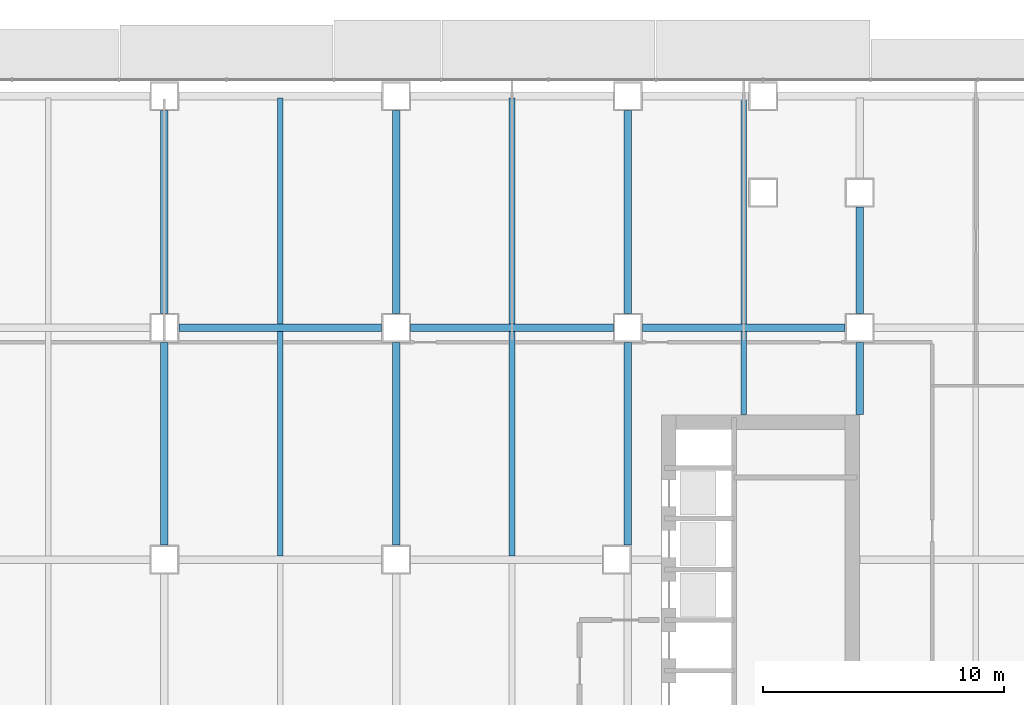
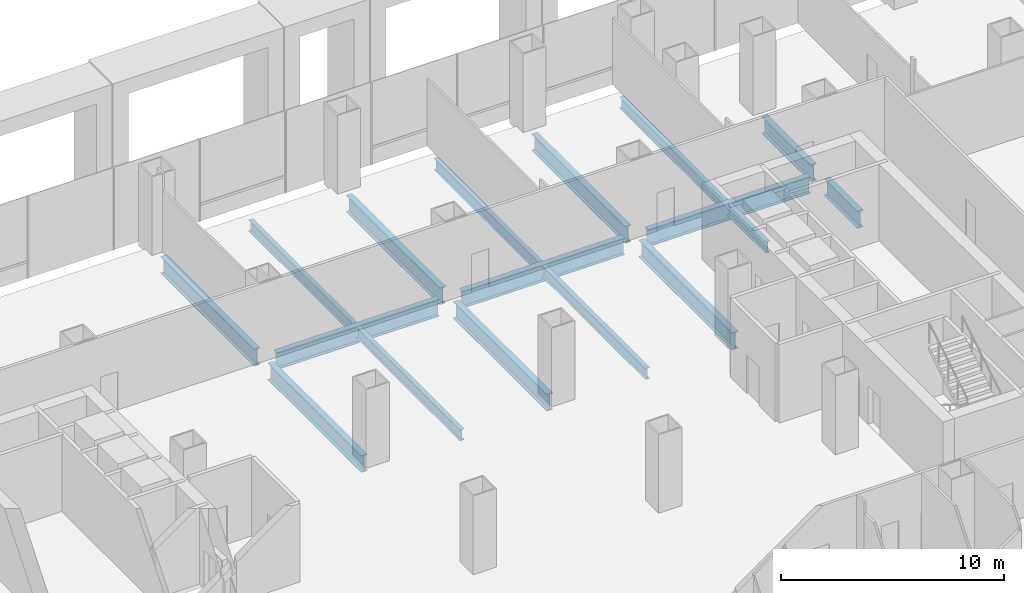
# One storey, part 8 of 23: 17 beams.
"""IFC4 building model written with IfcOpenShell, lengths in metres."""

import ifcopenshell
import ifcopenshell.guid

model = None  # the IFC model being written
_history = None  # IfcOwnerHistory: only IFC2X3 demands one
_inside = {}  # id of a spatial element -> (the spatial element, [elements in it])
_under = {}  # id of a project, library or spatial element -> (it, [spatial elements below it])
_declared = {}  # id of a project -> (the project, [libraries it declares])
_typed = {}  # id of a type object -> (the type object, [elements of that type])
_made_of = {}  # id of a material, layer set ... -> (it, [elements and type objects made of it])


def new_model(schema):
    """Start an empty IFC model of exactly this schema.

    Asked for "IFC4X3", IfcOpenShell would pick the latest addendum, in which some entities
    have other attributes; the version numbers below select the first issue.
    IFC2X3 requires an IfcOwnerHistory on every rooted entity: one is made here for all.
    """
    global model, _history
    if schema == "IFC4X3":
        model = ifcopenshell.file(schema_version=(4, 3, 0, 0))
    else:
        model = ifcopenshell.file(schema=schema)
    _inside.clear()
    _under.clear()
    _declared.clear()
    _typed.clear()
    _made_of.clear()
    _history = None
    if model.schema == "IFC2X3":
        org = make("IfcOrganization", Name="unknown")
        user = make(
            "IfcPersonAndOrganization",
            ThePerson=make("IfcPerson", FamilyName="unknown"),
            TheOrganization=org,
        )
        app = make(
            "IfcApplication",
            ApplicationDeveloper=org,
            Version="unknown",
            ApplicationFullName="unknown",
            ApplicationIdentifier="unknown",
        )
        _history = make(
            "IfcOwnerHistory",
            OwningUser=user,
            OwningApplication=app,
            ChangeAction="ADDED",
            CreationDate=0,
        )
    return model


def make(cls, **values):
    """One entity of the class cls with the attributes given. An attribute that is None is left unset."""
    return model.create_entity(
        cls, **{name: value for name, value in values.items() if value is not None}
    )


def rooted(cls, **values):
    """An entity with a GlobalId (a new one), such as an element, a storey or a relation."""
    return make(cls, GlobalId=ifcopenshell.guid.new(), OwnerHistory=_history, **values)


def si_unit(unit_type, name, prefix=None):
    """IfcSIUnit, for example si_unit("LENGTHUNIT", "METRE", prefix="MILLI")."""
    return make("IfcSIUnit", UnitType=unit_type, Prefix=prefix, Name=name)


def assignment(units):
    """IfcUnitAssignment: the units of a project."""
    return None if units is None else make("IfcUnitAssignment", Units=units)


def point(xyz):
    """IfcCartesianPoint."""
    return None if xyz is None else make("IfcCartesianPoint", Coordinates=xyz)


def direction(xyz):
    """IfcDirection."""
    return None if xyz is None else make("IfcDirection", DirectionRatios=xyz)


def frame(location, z_axis=None, x_axis=None):
    """IfcAxis2Placement3D, a coordinate frame: its origin and axes. An axis left out is left unset."""
    return make(
        "IfcAxis2Placement3D",
        Location=point(location),
        Axis=direction(z_axis),
        RefDirection=direction(x_axis),
    )


def frame_2d(location, x_axis=None):
    """IfcAxis2Placement2D, a coordinate frame in the plane: its origin and x axis."""
    return make(
        "IfcAxis2Placement2D", Location=point(location), RefDirection=direction(x_axis)
    )


def origin():
    """The frame at (0, 0, 0) with its axes left unset."""
    return frame((0.0, 0.0, 0.0))


def origin_2d():
    """The frame at (0, 0) in the plane with its x axis left unset."""
    return frame_2d((0.0, 0.0))


def place(relative_to, where):
    """IfcLocalPlacement: puts the frame where relative to a parent placement (None: the world)."""
    return make(
        "IfcLocalPlacement", PlacementRelTo=relative_to, RelativePlacement=where
    )


def context(
    kind, dimensions, precision=None, world=None, true_north=None, identifier=None
):
    """IfcGeometricRepresentationContext, for example the 3D "Model" context."""
    return make(
        "IfcGeometricRepresentationContext",
        ContextIdentifier=identifier,
        ContextType=kind,
        CoordinateSpaceDimension=dimensions,
        Precision=precision,
        WorldCoordinateSystem=world,
        TrueNorth=true_north,
    )


def subcontext(parent, identifier, kind, view, scale=None):
    """IfcGeometricRepresentationSubContext, for example "Body" below "Model"."""
    return make(
        "IfcGeometricRepresentationSubContext",
        ContextIdentifier=identifier,
        ContextType=kind,
        ParentContext=parent,
        TargetScale=scale,
        TargetView=view,
    )


def project(units=None, contexts=None):
    """IfcProject with its units and contexts."""
    return rooted(
        "IfcProject",
        Name="project",
        RepresentationContexts=contexts,
        UnitsInContext=assignment(units),
    )


def spatial(cls, under=None, at=None, **own):
    """A site, building, storey or space (cls), placed at a placement, below another one or the project."""
    s = rooted(cls, ObjectPlacement=at, **own)
    if under is not None:
        _under.setdefault(under.id(), (under, []))[1].append(s)
    return s


def profile(cls, at=None, kind="AREA", **sizes):
    """A parametric profile (cls). Its sizes go by their IFC names, for example OverallWidth=200.0."""
    return make(cls, ProfileType=kind, Position=at, **sizes)


def i_section(**sizes):
    """IfcIShapeProfileDef."""
    return profile("IfcIShapeProfileDef", **sizes)


def extrude(swept, where, along, depth):
    """IfcExtrudedAreaSolid: the profile swept, set in the frame where, extruded along a direction by depth."""
    return make(
        "IfcExtrudedAreaSolid",
        SweptArea=swept,
        Position=where,
        ExtrudedDirection=direction(along),
        Depth=depth,
    )


def shape(context_of_items, identifier, shape_type, items):
    """IfcShapeRepresentation: the items that make up one representation, for example the "Body"."""
    return make(
        "IfcShapeRepresentation",
        ContextOfItems=context_of_items,
        RepresentationIdentifier=identifier,
        RepresentationType=shape_type,
        Items=items,
    )


def material(Name=None, Category=None):
    """IfcMaterial."""
    return make("IfcMaterial", Name=Name, Category=Category)


def material_profile(
    of_material, cross_section, Name=None, Category=None, Priority=None
):
    """IfcMaterialProfile: a cross section and its material."""
    return make(
        "IfcMaterialProfile",
        Name=Name,
        Material=of_material,
        Profile=cross_section,
        Priority=Priority,
        Category=Category,
    )


def profile_set(profiles, Name=None, composite=None):
    """IfcMaterialProfileSet."""
    return make(
        "IfcMaterialProfileSet",
        Name=Name,
        MaterialProfiles=profiles,
        CompositeProfile=composite,
    )


def made_of(thing, what):
    """Note that an element or type object is made of a material, layer set ...; save() writes the relation."""
    if what is not None:
        _made_of.setdefault(what.id(), (what, []))[1].append(thing)
    return thing


def type_object(cls, material=None, **own):
    """A type object (cls), such as IfcWallType, which elements share."""
    return made_of(rooted(cls, **own), material)


def element(
    cls,
    number,
    at=None,
    inside=None,
    cuts=None,
    type_object=None,
    material=None,
    context=None,
    identifier="Body",
    shape_type=None,
    held_by="IfcProductDefinitionShape",
    body=None,
    shapes=None,
    **own,
):
    """One element of the class cls, such as IfcWall. Its Tag is "e" and its number.

    at: its placement. inside: the storey or other place that contains it. cuts: it is an
    opening in that element (IfcRelVoidsElement). A single representation is given by context,
    identifier, shape_type and body (its items); several are given by shapes. held_by: the class
    of the entity that holds the representations. save() writes the other relations.
    """
    e = rooted(cls, Tag="e%d" % number, ObjectPlacement=at, **own)
    if body is not None:
        shapes = [shape(context, identifier, shape_type, body)]
    if shapes is not None:
        e.Representation = make(held_by, Representations=shapes)
    if inside is not None:
        _inside.setdefault(inside.id(), (inside, []))[1].append(e)
    if cuts is not None:
        rooted(
            "IfcRelVoidsElement", RelatingBuildingElement=cuts, RelatedOpeningElement=e
        )
    if type_object is not None:
        _typed.setdefault(type_object.id(), (type_object, []))[1].append(e)
    return made_of(e, material)


def aggregate(whole, parts):
    """IfcRelAggregates: a whole, such as a stair, and the parts it consists of."""
    return rooted("IfcRelAggregates", RelatingObject=whole, RelatedObjects=parts)


def save(model, path):
    """Write the relations noted so far, then the file.

    IfcRelAggregates (storeys below a building ...), IfcRelContainedInSpatialStructure (elements
    in a storey), IfcRelDefinesByType, IfcRelAssociatesMaterial and IfcRelDeclares: one each for
    every whole, place, type object, material and project.
    """
    for whole, parts in _under.values():
        aggregate(whole, parts)
    for where, things in _inside.values():
        rooted(
            "IfcRelContainedInSpatialStructure",
            RelatedElements=things,
            RelatingStructure=where,
        )
    for kind, things in _typed.values():
        rooted("IfcRelDefinesByType", RelatedObjects=things, RelatingType=kind)
    for what, things in _made_of.values():
        rooted("IfcRelAssociatesMaterial", RelatedObjects=things, RelatingMaterial=what)
    for by, libraries in _declared.values():
        rooted("IfcRelDeclares", RelatingContext=by, RelatedDefinitions=libraries)
    model.write(path)


model = new_model("IFC4")

# Units and contexts
model_context = context("Model", 3, precision=1e-05, world=origin(), true_north=direction((0.0, 1.0)))
body_context = subcontext(model_context, "Body", "Model", "MODEL_VIEW")
ifc_project = project(units=[si_unit("LENGTHUNIT", "METRE"), si_unit("AREAUNIT", "SQUARE_METRE"), si_unit("VOLUMEUNIT", "CUBIC_METRE"), si_unit("PLANEANGLEUNIT", "RADIAN"), si_unit("MASSUNIT", "GRAM", prefix="KILO")], contexts=[model_context])

# Site, building, storey
site_placement = place(None, origin())
site = spatial("IfcSite", under=ifc_project, at=site_placement, CompositionType="ELEMENT")
building_placement = place(site_placement, origin())
building = spatial("IfcBuilding", under=site, at=building_placement, Name="Cobrizo Arcos Hotel Tower", CompositionType="ELEMENT")
storey_placement = place(building_placement, frame((0.0, 0.0, 24.5)))
storey = spatial("IfcBuildingStorey", under=building, at=storey_placement, Name="L04", CompositionType="ELEMENT", Elevation=24.5)

# Beams
ifc_material = material(Name="Steel ASTM A992 Grade 50", Category="steel")
ifc_material_profile_1 = material_profile(ifc_material, i_section(OverallWidth=0.23046875, OverallDepth=0.6171875, WebThickness=0.01318359375, FlangeThickness=0.022216796875, at=origin_2d()), Name="W24X94")
ifc_profile_set_1 = profile_set([ifc_material_profile_1], Name="Steel ASTM A992 Grade 50")
beam_type_1 = type_object("IfcBeamType", Name="W24X94 podium joist", PredefinedType="JOIST", material=ifc_profile_set_1)
beam_1_placement = place(storey_placement, frame((0.0, 4.95361328125, -0.508544921875), z_axis=(0.0, 1.0, 0.0), x_axis=(-1.0, 0.0, 0.0)))
element("IfcBeam", 1, at=beam_1_placement, inside=storey, type_object=beam_type_1, Name="Podium joist PJ1, L04, no. 018", PredefinedType="JOIST", context=body_context, shape_type="SweptSolid", body=[
    extrude(i_section(OverallWidth=0.23046875, OverallDepth=0.6171875, WebThickness=0.01318359375, FlangeThickness=0.022216796875, at=origin_2d()), origin(), (0.0, 0.0, 1.0), 9.292724609375),
])
beam_2_placement = place(storey_placement, frame((0.0, 14.5537109375, -0.508544921875), z_axis=(0.0, 1.0, 0.0), x_axis=(-1.0, 0.0, 0.0)))
element("IfcBeam", 2, at=beam_2_placement, inside=storey, type_object=beam_type_1, Name="Podium joist PJ1, L04, no. 019", PredefinedType="JOIST", context=body_context, shape_type="SweptSolid", body=[
    extrude(i_section(OverallWidth=0.23046875, OverallDepth=0.6171875, WebThickness=0.01318359375, FlangeThickness=0.022216796875, at=origin_2d()), origin(), (0.0, 0.0, 1.0), 9.356201171875),
])
beam_3_placement = place(storey_placement, frame((9.60009765625, 4.95361328125, -0.508544921875), z_axis=(0.0, 1.0, 0.0), x_axis=(-1.0, 0.0, 0.0)))
element("IfcBeam", 3, at=beam_3_placement, inside=storey, type_object=beam_type_1, Name="Podium joist PJ1, L04, no. 023", PredefinedType="JOIST", context=body_context, shape_type="SweptSolid", body=[
    extrude(i_section(OverallWidth=0.23046875, OverallDepth=0.6171875, WebThickness=0.01318359375, FlangeThickness=0.022216796875, at=origin_2d()), origin(), (0.0, 0.0, 1.0), 9.292724609375),
])
beam_4_placement = place(storey_placement, frame((9.60009765625, 14.5537109375, -0.508544921875), z_axis=(0.0, 1.0, 0.0), x_axis=(-1.0, 0.0, 0.0)))
element("IfcBeam", 4, at=beam_4_placement, inside=storey, type_object=beam_type_1, Name="Podium joist PJ1, L04, no. 024", PredefinedType="JOIST", context=body_context, shape_type="SweptSolid", body=[
    extrude(i_section(OverallWidth=0.23046875, OverallDepth=0.6171875, WebThickness=0.01318359375, FlangeThickness=0.022216796875, at=origin_2d()), origin(), (0.0, 0.0, 1.0), 9.356201171875),
])
beam_5_placement = place(storey_placement, frame((19.199951171875, 10.81005859375, -0.508544921875), z_axis=(0.0, 1.0, 0.0), x_axis=(-1.0, 0.0, 0.0)))
element("IfcBeam", 5, at=beam_5_placement, inside=storey, type_object=beam_type_1, Name="Podium joist PJ1, L04, no. 027", PredefinedType="JOIST", context=body_context, shape_type="SweptSolid", body=[
    extrude(i_section(OverallWidth=0.23046875, OverallDepth=0.6171875, WebThickness=0.01318359375, FlangeThickness=0.022216796875, at=origin_2d()), origin(), (0.0, 0.0, 1.0), 3.436279296875),
])
beam_6_placement = place(storey_placement, frame((19.199951171875, 14.5537109375, -0.508544921875), z_axis=(0.0, 1.0, 0.0), x_axis=(-1.0, 0.0, 0.0)))
element("IfcBeam", 6, at=beam_6_placement, inside=storey, type_object=beam_type_1, Name="Podium joist PJ1, L04, no. 028", PredefinedType="JOIST", context=body_context, shape_type="SweptSolid", body=[
    extrude(i_section(OverallWidth=0.23046875, OverallDepth=0.6171875, WebThickness=0.01318359375, FlangeThickness=0.022216796875, at=origin_2d()), origin(), (0.0, 0.0, 1.0), 9.356201171875),
])
ifc_material_profile_2 = material_profile(ifc_material, i_section(OverallWidth=0.307373046875, OverallDepth=0.927001953125, WebThickness=0.01953125, FlangeThickness=0.031982421875, at=origin_2d()), Name="W36X194")
ifc_profile_set_2 = profile_set([ifc_material_profile_2], Name="Steel ASTM A992 Grade 50")
beam_type_2 = type_object("IfcBeamType", Name="W36X194 podium girder", PredefinedType="BEAM", material=ifc_profile_set_2)
beam_7_placement = place(storey_placement, frame((-4.199951171875, 14.39990234375, -0.66357421875), z_axis=(1.0, 0.0, 0.0), x_axis=(0.0, 1.0, 0.0)))
element("IfcBeam", 7, at=beam_7_placement, inside=storey, type_object=beam_type_2, Name="Podium girder PG1, L04, no. 030", PredefinedType="BEAM", context=body_context, shape_type="SweptSolid", body=[
    extrude(i_section(OverallWidth=0.307373046875, OverallDepth=0.927001953125, WebThickness=0.01953125, FlangeThickness=0.031982421875, at=origin_2d()), origin(), (0.0, 0.0, 1.0), 8.39990234375),
])
beam_8_placement = place(storey_placement, frame((5.39990234375, 14.39990234375, -0.66357421875), z_axis=(1.0, 0.0, 0.0), x_axis=(0.0, 1.0, 0.0)))
element("IfcBeam", 8, at=beam_8_placement, inside=storey, type_object=beam_type_2, Name="Podium girder PG1, L04, no. 031", PredefinedType="BEAM", context=body_context, shape_type="SweptSolid", body=[
    extrude(i_section(OverallWidth=0.307373046875, OverallDepth=0.927001953125, WebThickness=0.01953125, FlangeThickness=0.031982421875, at=origin_2d()), origin(), (0.0, 0.0, 1.0), 8.400146484375),
])
beam_9_placement = place(storey_placement, frame((15.0, 14.39990234375, -0.66357421875), z_axis=(1.0, 0.0, 0.0), x_axis=(0.0, 1.0, 0.0)))
element("IfcBeam", 9, at=beam_9_placement, inside=storey, type_object=beam_type_2, Name="Podium girder PG1, L04, no. 032", PredefinedType="BEAM", context=body_context, shape_type="SweptSolid", body=[
    extrude(i_section(OverallWidth=0.307373046875, OverallDepth=0.927001953125, WebThickness=0.01953125, FlangeThickness=0.031982421875, at=origin_2d()), origin(), (0.0, 0.0, 1.0), 8.39990234375),
])
beam_10_placement = place(storey_placement, frame((-4.800048828125, 5.39990234375, -0.66357421875), z_axis=(0.0, 1.0, 0.0), x_axis=(-1.0, 0.0, 0.0)))
element("IfcBeam", 10, at=beam_10_placement, inside=storey, type_object=beam_type_2, Name="Podium girder PG1, L04, no. 054", PredefinedType="BEAM", context=body_context, shape_type="SweptSolid", body=[
    extrude(i_section(OverallWidth=0.307373046875, OverallDepth=0.927001953125, WebThickness=0.01953125, FlangeThickness=0.031982421875, at=origin_2d()), origin(), (0.0, 0.0, 1.0), 8.400146484375),
])
beam_11_placement = place(storey_placement, frame((-4.800048828125, 15.0, -0.66357421875), z_axis=(0.0, 1.0, 0.0), x_axis=(-1.0, 0.0, 0.0)))
element("IfcBeam", 11, at=beam_11_placement, inside=storey, type_object=beam_type_2, Name="Podium girder PG1, L04, no. 055", PredefinedType="BEAM", context=body_context, shape_type="SweptSolid", body=[
    extrude(i_section(OverallWidth=0.307373046875, OverallDepth=0.927001953125, WebThickness=0.01953125, FlangeThickness=0.031982421875, at=origin_2d()), origin(), (0.0, 0.0, 1.0), 8.39990234375),
])
beam_12_placement = place(storey_placement, frame((4.800048828125, 5.39990234375, -0.66357421875), z_axis=(0.0, 1.0, 0.0), x_axis=(-1.0, 0.0, 0.0)))
element("IfcBeam", 12, at=beam_12_placement, inside=storey, type_object=beam_type_2, Name="Podium girder PG1, L04, no. 059", PredefinedType="BEAM", context=body_context, shape_type="SweptSolid", body=[
    extrude(i_section(OverallWidth=0.307373046875, OverallDepth=0.927001953125, WebThickness=0.01953125, FlangeThickness=0.031982421875, at=origin_2d()), origin(), (0.0, 0.0, 1.0), 8.400146484375),
])
beam_13_placement = place(storey_placement, frame((4.800048828125, 15.0, -0.66357421875), z_axis=(0.0, 1.0, 0.0), x_axis=(-1.0, 0.0, 0.0)))
element("IfcBeam", 13, at=beam_13_placement, inside=storey, type_object=beam_type_2, Name="Podium girder PG1, L04, no. 060", PredefinedType="BEAM", context=body_context, shape_type="SweptSolid", body=[
    extrude(i_section(OverallWidth=0.307373046875, OverallDepth=0.927001953125, WebThickness=0.01953125, FlangeThickness=0.031982421875, at=origin_2d()), origin(), (0.0, 0.0, 1.0), 8.39990234375),
])
beam_14_placement = place(storey_placement, frame((14.39990234375, 5.39990234375, -0.66357421875), z_axis=(0.0, 1.0, 0.0), x_axis=(-1.0, 0.0, 0.0)))
element("IfcBeam", 14, at=beam_14_placement, inside=storey, type_object=beam_type_2, Name="Podium girder PG1, L04, no. 064", PredefinedType="BEAM", context=body_context, shape_type="SweptSolid", body=[
    extrude(i_section(OverallWidth=0.307373046875, OverallDepth=0.927001953125, WebThickness=0.01953125, FlangeThickness=0.031982421875, at=origin_2d()), origin(), (0.0, 0.0, 1.0), 8.400146484375),
])
beam_15_placement = place(storey_placement, frame((14.39990234375, 15.0, -0.66357421875), z_axis=(0.0, 1.0, 0.0), x_axis=(-1.0, 0.0, 0.0)))
element("IfcBeam", 15, at=beam_15_placement, inside=storey, type_object=beam_type_2, Name="Podium girder PG1, L04, no. 065", PredefinedType="BEAM", context=body_context, shape_type="SweptSolid", body=[
    extrude(i_section(OverallWidth=0.307373046875, OverallDepth=0.927001953125, WebThickness=0.01953125, FlangeThickness=0.031982421875, at=origin_2d()), origin(), (0.0, 0.0, 1.0), 8.39990234375),
])
beam_16_placement = place(storey_placement, frame((24.0, 10.81005859375, -0.66357421875), z_axis=(0.0, 1.0, 0.0), x_axis=(-1.0, 0.0, 0.0)))
element("IfcBeam", 16, at=beam_16_placement, inside=storey, type_object=beam_type_2, Name="Podium girder PG1, L04, no. 069", PredefinedType="BEAM", context=body_context, shape_type="SweptSolid", body=[
    extrude(i_section(OverallWidth=0.307373046875, OverallDepth=0.927001953125, WebThickness=0.01953125, FlangeThickness=0.031982421875, at=origin_2d()), origin(), (0.0, 0.0, 1.0), 2.989990234375),
])
beam_17_placement = place(storey_placement, frame((24.0, 15.0, -0.66357421875), z_axis=(0.0, 1.0, 0.0), x_axis=(-1.0, 0.0, 0.0)))
element("IfcBeam", 17, at=beam_17_placement, inside=storey, type_object=beam_type_2, Name="Podium girder PG1, L04, no. 070", PredefinedType="BEAM", context=body_context, shape_type="SweptSolid", body=[
    extrude(i_section(OverallWidth=0.307373046875, OverallDepth=0.927001953125, WebThickness=0.01953125, FlangeThickness=0.031982421875, at=origin_2d()), origin(), (0.0, 0.0, 1.0), 4.39990234375),
])

save(model, "model.ifc")
